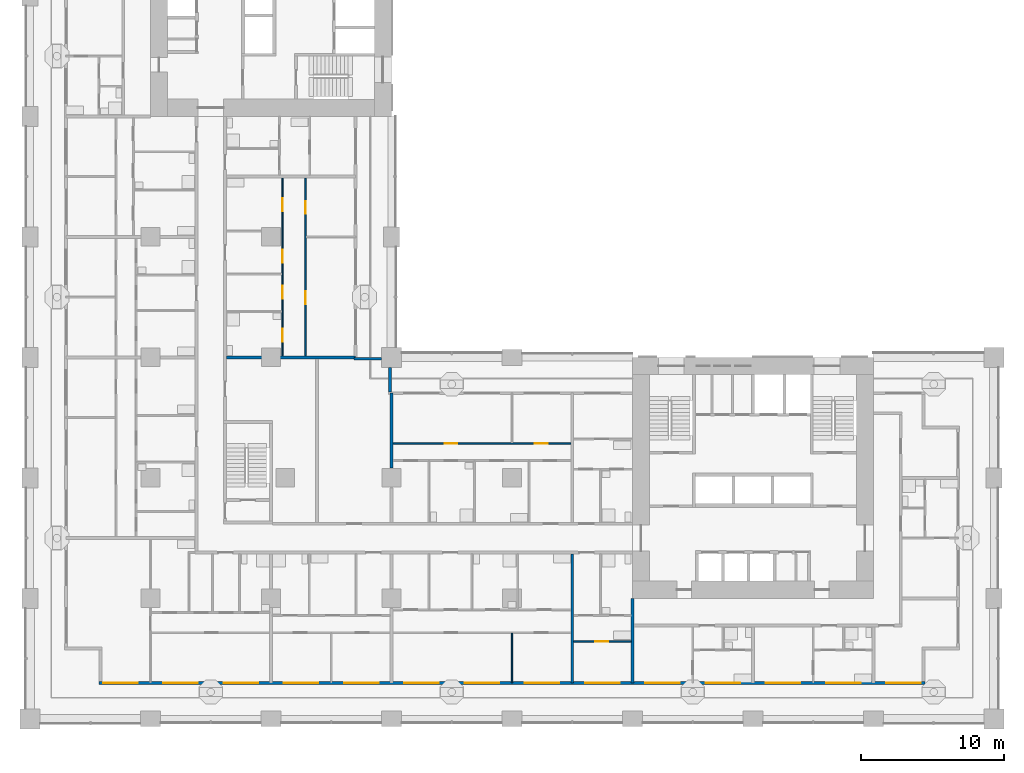
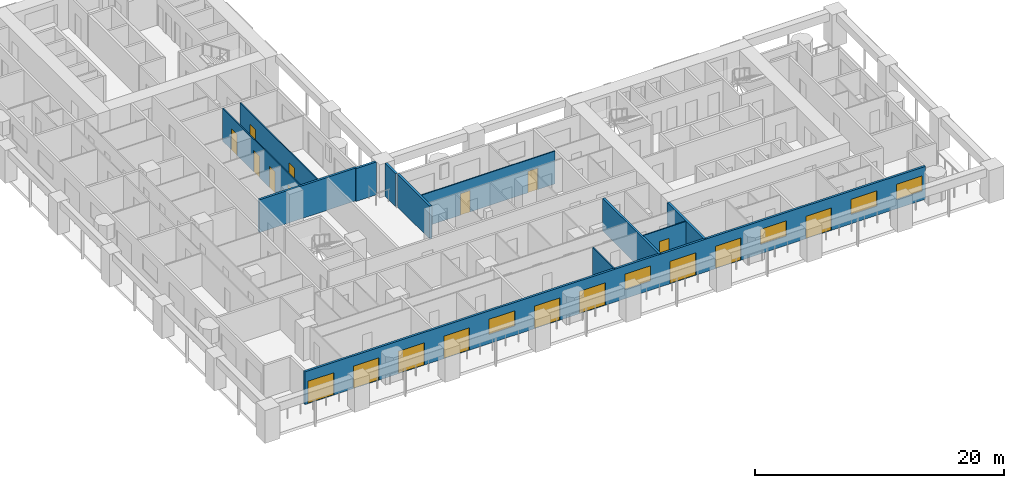
# One storey, part 5 of 22: 18 doors, 12 walls, 5 windows, 23 openings.
"""IFC4 building model written with IfcOpenShell, lengths in metres."""

from ifc_helpers import new_model, si_unit, direction, frame, frame_2d, origin, place, context, subcontext, project, spatial, rectangle, extrude, material, layer, layer_set, type_object, element, fill, save


model = new_model("IFC4")

# Units and contexts
model_context = context("Model", 3, precision=1e-05, world=origin(), true_north=direction((0.0, 1.0)))
body_context = subcontext(model_context, "Body", "Model", "MODEL_VIEW")
ifc_project = project(units=[si_unit("LENGTHUNIT", "METRE"), si_unit("AREAUNIT", "SQUARE_METRE"), si_unit("VOLUMEUNIT", "CUBIC_METRE"), si_unit("PLANEANGLEUNIT", "RADIAN"), si_unit("MASSUNIT", "GRAM", prefix="KILO")], contexts=[model_context])

# Site, building, storey
site_placement = place(None, origin())
site = spatial("IfcSite", under=ifc_project, at=site_placement, CompositionType="ELEMENT")
building_placement = place(site_placement, origin())
building = spatial("IfcBuilding", under=site, at=building_placement, Name="Vermilion Gate Residences", CompositionType="ELEMENT")
storey_placement = place(building_placement, frame((0.0, 0.0, 60.199951171875)))
storey = spatial("IfcBuildingStorey", under=building, at=storey_placement, Name="L14", CompositionType="ELEMENT", Elevation=60.199951171875)

# Wall, openings, doors, windows
ifc_material_1 = material(Name="Insulated steel stud wall with terracotta rainscreen", Category="masonry")
ifc_layer_1 = layer(ifc_material_1, 0.199951171875)
ifc_layer_set_1 = layer_set([ifc_layer_1], Name="EXTERNAL WALL 200 TERRACOTTA RAINSCREEN")
wall_type_1 = type_object("IfcWallType", Name="EXTERNAL WALL 200 TERRACOTTA RAINSCREEN", PredefinedType="SOLIDWALL", material=ifc_layer_set_1)
wall_1_placement = place(storey_placement, frame((4.800048828125, 2.5, 0.0), z_axis=(0.0, 0.0, 1.0), x_axis=(1.0, 0.0, 0.0)))
wall_1 = element("IfcWall", 1, at=wall_1_placement, inside=storey, type_object=wall_type_1, Name="External wall", PredefinedType="SOLIDWALL", context=body_context, shape_type="SweptSolid", body=[
    extrude(rectangle(XDim=57.599853515625, YDim=0.199951171875, at=frame_2d((28.7998046875, 0.0))), origin(), (0.0, 0.0, 1.0), 3.219970703125),
])
opening_1_placement = place(wall_1_placement, frame((0.300048828125, 0.0, 0.0)))
opening_1 = element("IfcOpeningElement", 2, at=opening_1_placement, cuts=wall_1, Name="Opening DE14014", PredefinedType="OPENING", context=body_context, shape_type="SweptSolid", body=[
    extrude(rectangle(XDim=2.39990234375, YDim=2.199951171875, at=frame_2d((1.199951171875, 1.10009765625))), frame((0.0, 0.10986328125, 0.0), z_axis=(0.0, -1.0, 0.0), x_axis=(1.0, 0.0, 0.0)), (0.0, 0.0, 1.0), 0.219970703125),
])
opening_2_placement = place(wall_1_placement, frame((4.5, 0.0, 0.0)))
opening_2 = element("IfcOpeningElement", 3, at=opening_2_placement, cuts=wall_1, Name="Opening DE14015", PredefinedType="OPENING", context=body_context, shape_type="SweptSolid", body=[
    extrude(rectangle(XDim=2.39990234375, YDim=2.199951171875, at=frame_2d((1.199951171875, 1.10009765625))), frame((0.0, 0.10986328125, 0.0), z_axis=(0.0, -1.0, 0.0), x_axis=(1.0, 0.0, 0.0)), (0.0, 0.0, 1.0), 0.219970703125),
])
opening_3_placement = place(wall_1_placement, frame((8.699951171875, 0.0, 0.0)))
opening_3 = element("IfcOpeningElement", 4, at=opening_3_placement, cuts=wall_1, Name="Opening DE14016", PredefinedType="OPENING", context=body_context, shape_type="SweptSolid", body=[
    extrude(rectangle(XDim=2.39990234375, YDim=2.199951171875, at=frame_2d((1.199951171875, 1.10009765625))), frame((0.0, 0.10986328125, 0.0), z_axis=(0.0, -1.0, 0.0), x_axis=(1.0, 0.0, 0.0)), (0.0, 0.0, 1.0), 0.219970703125),
])
opening_4_placement = place(wall_1_placement, frame((12.89990234375, 0.0, 0.0)))
opening_4 = element("IfcOpeningElement", 5, at=opening_4_placement, cuts=wall_1, Name="Opening DE14017", PredefinedType="OPENING", context=body_context, shape_type="SweptSolid", body=[
    extrude(rectangle(XDim=2.39990234375, YDim=2.199951171875, at=frame_2d((1.199951171875, 1.10009765625))), frame((0.0, 0.10986328125, 0.0), z_axis=(0.0, -1.0, 0.0), x_axis=(1.0, 0.0, 0.0)), (0.0, 0.0, 1.0), 0.219970703125),
])
opening_5_placement = place(wall_1_placement, frame((17.10009765625, 0.0, 0.89990234375)))
opening_5 = element("IfcOpeningElement", 6, at=opening_5_placement, cuts=wall_1, Name="Opening WE14018", PredefinedType="OPENING", context=body_context, shape_type="SweptSolid", body=[
    extrude(rectangle(XDim=2.39990234375, YDim=1.5, at=frame_2d((1.199951171875, 0.75))), frame((0.0, 0.10986328125, 0.0), z_axis=(0.0, -1.0, 0.0), x_axis=(1.0, 0.0, 0.0)), (0.0, 0.0, 1.0), 0.219970703125),
])
opening_6_placement = place(wall_1_placement, frame((21.300048828125, 0.0, 0.0)))
opening_6 = element("IfcOpeningElement", 7, at=opening_6_placement, cuts=wall_1, Name="Opening DE14019", PredefinedType="OPENING", context=body_context, shape_type="SweptSolid", body=[
    extrude(rectangle(XDim=2.39990234375, YDim=2.199951171875, at=frame_2d((1.199951171875, 1.10009765625))), frame((0.0, 0.10986328125, 0.0), z_axis=(0.0, -1.0, 0.0), x_axis=(1.0, 0.0, 0.0)), (0.0, 0.0, 1.0), 0.219970703125),
])
opening_7_placement = place(wall_1_placement, frame((25.5, 0.0, 0.0)))
opening_7 = element("IfcOpeningElement", 8, at=opening_7_placement, cuts=wall_1, Name="Opening DE14020", PredefinedType="OPENING", context=body_context, shape_type="SweptSolid", body=[
    extrude(rectangle(XDim=2.39990234375, YDim=2.199951171875, at=frame_2d((1.199951171875, 1.10009765625))), frame((0.0, 0.10986328125, 0.0), z_axis=(0.0, -1.0, 0.0), x_axis=(1.0, 0.0, 0.0)), (0.0, 0.0, 1.0), 0.219970703125),
])
opening_8_placement = place(wall_1_placement, frame((29.699951171875, 0.0, 0.89990234375)))
opening_8 = element("IfcOpeningElement", 9, at=opening_8_placement, cuts=wall_1, Name="Opening WE14021", PredefinedType="OPENING", context=body_context, shape_type="SweptSolid", body=[
    extrude(rectangle(XDim=2.39990234375, YDim=1.5, at=frame_2d((1.199951171875, 0.75))), frame((0.0, 0.10986328125, 0.0), z_axis=(0.0, -1.0, 0.0), x_axis=(1.0, 0.0, 0.0)), (0.0, 0.0, 1.0), 0.219970703125),
])
opening_9_placement = place(wall_1_placement, frame((33.89990234375, 0.0, 0.0)))
opening_9 = element("IfcOpeningElement", 10, at=opening_9_placement, cuts=wall_1, Name="Opening DE14022", PredefinedType="OPENING", context=body_context, shape_type="SweptSolid", body=[
    extrude(rectangle(XDim=2.39990234375, YDim=2.199951171875, at=frame_2d((1.199951171875, 1.10009765625))), frame((0.0, 0.10986328125, 0.0), z_axis=(0.0, -1.0, 0.0), x_axis=(1.0, 0.0, 0.0)), (0.0, 0.0, 1.0), 0.219970703125),
])
opening_10_placement = place(wall_1_placement, frame((38.10009765625, 0.0, 0.0)))
opening_10 = element("IfcOpeningElement", 11, at=opening_10_placement, cuts=wall_1, Name="Opening DE14023", PredefinedType="OPENING", context=body_context, shape_type="SweptSolid", body=[
    extrude(rectangle(XDim=2.39990234375, YDim=2.199951171875, at=frame_2d((1.199951171875, 1.10009765625))), frame((0.0, 0.10986328125, 0.0), z_axis=(0.0, -1.0, 0.0), x_axis=(1.0, 0.0, 0.0)), (0.0, 0.0, 1.0), 0.219970703125),
])
opening_11_placement = place(wall_1_placement, frame((42.300048828125, 0.0, 0.89990234375)))
opening_11 = element("IfcOpeningElement", 12, at=opening_11_placement, cuts=wall_1, Name="Opening WE14024", PredefinedType="OPENING", context=body_context, shape_type="SweptSolid", body=[
    extrude(rectangle(XDim=2.39990234375, YDim=1.5, at=frame_2d((1.199951171875, 0.75))), frame((0.0, 0.10986328125, 0.0), z_axis=(0.0, -1.0, 0.0), x_axis=(1.0, 0.0, 0.0)), (0.0, 0.0, 1.0), 0.219970703125),
])
opening_12_placement = place(wall_1_placement, frame((46.5, 0.0, 0.0)))
opening_12 = element("IfcOpeningElement", 13, at=opening_12_placement, cuts=wall_1, Name="Opening DE14025", PredefinedType="OPENING", context=body_context, shape_type="SweptSolid", body=[
    extrude(rectangle(XDim=2.39990234375, YDim=2.199951171875, at=frame_2d((1.199951171875, 1.10009765625))), frame((0.0, 0.10986328125, 0.0), z_axis=(0.0, -1.0, 0.0), x_axis=(1.0, 0.0, 0.0)), (0.0, 0.0, 1.0), 0.219970703125),
])
opening_13_placement = place(wall_1_placement, frame((50.699951171875, 0.0, 0.89990234375)))
opening_13 = element("IfcOpeningElement", 14, at=opening_13_placement, cuts=wall_1, Name="Opening WE14026", PredefinedType="OPENING", context=body_context, shape_type="SweptSolid", body=[
    extrude(rectangle(XDim=2.39990234375, YDim=1.5, at=frame_2d((1.199951171875, 0.75))), frame((0.0, 0.10986328125, 0.0), z_axis=(0.0, -1.0, 0.0), x_axis=(1.0, 0.0, 0.0)), (0.0, 0.0, 1.0), 0.219970703125),
])
opening_14_placement = place(wall_1_placement, frame((54.89990234375, 0.0, 0.89990234375)))
opening_14 = element("IfcOpeningElement", 15, at=opening_14_placement, cuts=wall_1, Name="Opening WE14027", PredefinedType="OPENING", context=body_context, shape_type="SweptSolid", body=[
    extrude(rectangle(XDim=2.39990234375, YDim=1.5, at=frame_2d((1.199951171875, 0.75))), frame((0.0, 0.10986328125, 0.0), z_axis=(0.0, -1.0, 0.0), x_axis=(1.0, 0.0, 0.0)), (0.0, 0.0, 1.0), 0.219970703125),
])
ifc_material_2 = material(Name="Aluminium and clear glass", Category="aluminium")
door_type_1 = type_object("IfcDoorType", Name="SLIDING GLAZED DOOR 2400 X 2200", OperationType="DOUBLE_DOOR_SLIDING", PredefinedType="DOOR", material=ifc_material_2)
door_1_placement = place(opening_1_placement, origin())
door_1 = element("IfcDoor", 16, at=door_1_placement, inside=storey, type_object=door_type_1, Name="Loggia sliding door", OperationType="DOUBLE_DOOR_SLIDING", OverallHeight=2.199951171875, OverallWidth=2.39990234375, PredefinedType="DOOR", context=body_context, shape_type="SweptSolid", body=[
    extrude(rectangle(XDim=2.39990234375, YDim=2.199951171875, at=frame_2d((1.199951171875, 1.10009765625))), frame((0.0, 0.02490234375, 0.0), z_axis=(0.0, -1.0, 0.0), x_axis=(1.0, 0.0, 0.0)), (0.0, 0.0, 1.0), 0.050048828125),
])
fill(opening_1, door_1)
door_2_placement = place(opening_2_placement, origin())
door_2 = element("IfcDoor", 17, at=door_2_placement, inside=storey, type_object=door_type_1, Name="Loggia sliding door", OperationType="DOUBLE_DOOR_SLIDING", OverallHeight=2.199951171875, OverallWidth=2.39990234375, PredefinedType="DOOR", context=body_context, shape_type="SweptSolid", body=[
    extrude(rectangle(XDim=2.39990234375, YDim=2.199951171875, at=frame_2d((1.199951171875, 1.10009765625))), frame((0.0, 0.02490234375, 0.0), z_axis=(0.0, -1.0, 0.0), x_axis=(1.0, 0.0, 0.0)), (0.0, 0.0, 1.0), 0.050048828125),
])
fill(opening_2, door_2)
door_3_placement = place(opening_3_placement, origin())
door_3 = element("IfcDoor", 18, at=door_3_placement, inside=storey, type_object=door_type_1, Name="Loggia sliding door", OperationType="DOUBLE_DOOR_SLIDING", OverallHeight=2.199951171875, OverallWidth=2.39990234375, PredefinedType="DOOR", context=body_context, shape_type="SweptSolid", body=[
    extrude(rectangle(XDim=2.39990234375, YDim=2.199951171875, at=frame_2d((1.199951171875, 1.10009765625))), frame((0.0, 0.02490234375, 0.0), z_axis=(0.0, -1.0, 0.0), x_axis=(1.0, 0.0, 0.0)), (0.0, 0.0, 1.0), 0.050048828125),
])
fill(opening_3, door_3)
door_4_placement = place(opening_4_placement, origin())
door_4 = element("IfcDoor", 19, at=door_4_placement, inside=storey, type_object=door_type_1, Name="Loggia sliding door", OperationType="DOUBLE_DOOR_SLIDING", OverallHeight=2.199951171875, OverallWidth=2.39990234375, PredefinedType="DOOR", context=body_context, shape_type="SweptSolid", body=[
    extrude(rectangle(XDim=2.39990234375, YDim=2.199951171875, at=frame_2d((1.199951171875, 1.10009765625))), frame((0.0, 0.02490234375, 0.0), z_axis=(0.0, -1.0, 0.0), x_axis=(1.0, 0.0, 0.0)), (0.0, 0.0, 1.0), 0.050048828125),
])
fill(opening_4, door_4)
door_5_placement = place(opening_6_placement, origin())
door_5 = element("IfcDoor", 20, at=door_5_placement, inside=storey, type_object=door_type_1, Name="Loggia sliding door", OperationType="DOUBLE_DOOR_SLIDING", OverallHeight=2.199951171875, OverallWidth=2.39990234375, PredefinedType="DOOR", context=body_context, shape_type="SweptSolid", body=[
    extrude(rectangle(XDim=2.39990234375, YDim=2.199951171875, at=frame_2d((1.199951171875, 1.10009765625))), frame((0.0, 0.02490234375, 0.0), z_axis=(0.0, -1.0, 0.0), x_axis=(1.0, 0.0, 0.0)), (0.0, 0.0, 1.0), 0.050048828125),
])
fill(opening_6, door_5)
door_6_placement = place(opening_7_placement, origin())
door_6 = element("IfcDoor", 21, at=door_6_placement, inside=storey, type_object=door_type_1, Name="Loggia sliding door", OperationType="DOUBLE_DOOR_SLIDING", OverallHeight=2.199951171875, OverallWidth=2.39990234375, PredefinedType="DOOR", context=body_context, shape_type="SweptSolid", body=[
    extrude(rectangle(XDim=2.39990234375, YDim=2.199951171875, at=frame_2d((1.199951171875, 1.10009765625))), frame((0.0, 0.02490234375, 0.0), z_axis=(0.0, -1.0, 0.0), x_axis=(1.0, 0.0, 0.0)), (0.0, 0.0, 1.0), 0.050048828125),
])
fill(opening_7, door_6)
door_7_placement = place(opening_9_placement, origin())
door_7 = element("IfcDoor", 22, at=door_7_placement, inside=storey, type_object=door_type_1, Name="Loggia sliding door", OperationType="DOUBLE_DOOR_SLIDING", OverallHeight=2.199951171875, OverallWidth=2.39990234375, PredefinedType="DOOR", context=body_context, shape_type="SweptSolid", body=[
    extrude(rectangle(XDim=2.39990234375, YDim=2.199951171875, at=frame_2d((1.199951171875, 1.10009765625))), frame((0.0, 0.02490234375, 0.0), z_axis=(0.0, -1.0, 0.0), x_axis=(1.0, 0.0, 0.0)), (0.0, 0.0, 1.0), 0.050048828125),
])
fill(opening_9, door_7)
door_8_placement = place(opening_10_placement, origin())
door_8 = element("IfcDoor", 23, at=door_8_placement, inside=storey, type_object=door_type_1, Name="Loggia sliding door", OperationType="DOUBLE_DOOR_SLIDING", OverallHeight=2.199951171875, OverallWidth=2.39990234375, PredefinedType="DOOR", context=body_context, shape_type="SweptSolid", body=[
    extrude(rectangle(XDim=2.39990234375, YDim=2.199951171875, at=frame_2d((1.199951171875, 1.10009765625))), frame((0.0, 0.02490234375, 0.0), z_axis=(0.0, -1.0, 0.0), x_axis=(1.0, 0.0, 0.0)), (0.0, 0.0, 1.0), 0.050048828125),
])
fill(opening_10, door_8)
door_9_placement = place(opening_12_placement, origin())
door_9 = element("IfcDoor", 24, at=door_9_placement, inside=storey, type_object=door_type_1, Name="Loggia sliding door", OperationType="DOUBLE_DOOR_SLIDING", OverallHeight=2.199951171875, OverallWidth=2.39990234375, PredefinedType="DOOR", context=body_context, shape_type="SweptSolid", body=[
    extrude(rectangle(XDim=2.39990234375, YDim=2.199951171875, at=frame_2d((1.199951171875, 1.10009765625))), frame((0.0, 0.02490234375, 0.0), z_axis=(0.0, -1.0, 0.0), x_axis=(1.0, 0.0, 0.0)), (0.0, 0.0, 1.0), 0.050048828125),
])
fill(opening_12, door_9)
ifc_material_3 = material(Name="Aluminium and clear glass", Category="aluminium")
window_type = type_object("IfcWindowType", Name="WINDOW 2400 X 1500", PartitioningType="SINGLE_PANEL", PredefinedType="WINDOW", material=ifc_material_3)
window_1_placement = place(opening_5_placement, origin())
window_1 = element("IfcWindow", 25, at=window_1_placement, inside=storey, type_object=window_type, Name="Window", OverallHeight=1.5, OverallWidth=2.39990234375, PartitioningType="SINGLE_PANEL", PredefinedType="WINDOW", context=body_context, shape_type="SweptSolid", body=[
    extrude(rectangle(XDim=2.39990234375, YDim=1.5, at=frame_2d((1.199951171875, 0.75))), frame((0.0, 0.030029296875, 0.0), z_axis=(0.0, -1.0, 0.0), x_axis=(1.0, 0.0, 0.0)), (0.0, 0.0, 1.0), 0.06005859375),
])
fill(opening_5, window_1)
window_2_placement = place(opening_8_placement, origin())
window_2 = element("IfcWindow", 26, at=window_2_placement, inside=storey, type_object=window_type, Name="Window", OverallHeight=1.5, OverallWidth=2.39990234375, PartitioningType="SINGLE_PANEL", PredefinedType="WINDOW", context=body_context, shape_type="SweptSolid", body=[
    extrude(rectangle(XDim=2.39990234375, YDim=1.5, at=frame_2d((1.199951171875, 0.75))), frame((0.0, 0.030029296875, 0.0), z_axis=(0.0, -1.0, 0.0), x_axis=(1.0, 0.0, 0.0)), (0.0, 0.0, 1.0), 0.06005859375),
])
fill(opening_8, window_2)
window_3_placement = place(opening_11_placement, origin())
window_3 = element("IfcWindow", 27, at=window_3_placement, inside=storey, type_object=window_type, Name="Window", OverallHeight=1.5, OverallWidth=2.39990234375, PartitioningType="SINGLE_PANEL", PredefinedType="WINDOW", context=body_context, shape_type="SweptSolid", body=[
    extrude(rectangle(XDim=2.39990234375, YDim=1.5, at=frame_2d((1.199951171875, 0.75))), frame((0.0, 0.030029296875, 0.0), z_axis=(0.0, -1.0, 0.0), x_axis=(1.0, 0.0, 0.0)), (0.0, 0.0, 1.0), 0.06005859375),
])
fill(opening_11, window_3)
window_4_placement = place(opening_13_placement, origin())
window_4 = element("IfcWindow", 28, at=window_4_placement, inside=storey, type_object=window_type, Name="Window", OverallHeight=1.5, OverallWidth=2.39990234375, PartitioningType="SINGLE_PANEL", PredefinedType="WINDOW", context=body_context, shape_type="SweptSolid", body=[
    extrude(rectangle(XDim=2.39990234375, YDim=1.5, at=frame_2d((1.199951171875, 0.75))), frame((0.0, 0.030029296875, 0.0), z_axis=(0.0, -1.0, 0.0), x_axis=(1.0, 0.0, 0.0)), (0.0, 0.0, 1.0), 0.06005859375),
])
fill(opening_13, window_4)
window_5_placement = place(opening_14_placement, origin())
window_5 = element("IfcWindow", 29, at=window_5_placement, inside=storey, type_object=window_type, Name="Window", OverallHeight=1.5, OverallWidth=2.39990234375, PartitioningType="SINGLE_PANEL", PredefinedType="WINDOW", context=body_context, shape_type="SweptSolid", body=[
    extrude(rectangle(XDim=2.39990234375, YDim=1.5, at=frame_2d((1.199951171875, 0.75))), frame((0.0, 0.030029296875, 0.0), z_axis=(0.0, -1.0, 0.0), x_axis=(1.0, 0.0, 0.0)), (0.0, 0.0, 1.0), 0.06005859375),
])
fill(opening_14, window_5)

# Walls
wall_2_placement = place(storey_placement, frame((25.10009765625, 22.800048828125, 0.0), z_axis=(0.0, 0.0, 1.0), x_axis=(0.0, 1.0, 0.0)))
element("IfcWall", 30, at=wall_2_placement, inside=storey, type_object=wall_type_1, Name="External wall", PredefinedType="SOLIDWALL", context=body_context, shape_type="SweptSolid", body=[
    extrude(rectangle(XDim=1.699951171875, YDim=0.199951171875, at=frame_2d((0.85009765625, 0.0))), origin(), (0.0, 0.0, 1.0), 3.219970703125),
])
wall_3_placement = place(storey_placement, frame((24.5, 25.10009765625, 0.0), z_axis=(0.0, 0.0, 1.0), x_axis=(-1.0, 0.0, 0.0)))
element("IfcWall", 31, at=wall_3_placement, inside=storey, type_object=wall_type_1, Name="External wall", PredefinedType="SOLIDWALL", context=body_context, shape_type="SweptSolid", body=[
    extrude(rectangle(XDim=1.89990234375, YDim=0.199951171875, at=frame_2d((0.949951171875, 0.0))), origin(), (0.0, 0.0, 1.0), 3.219970703125),
])

# Wall, opening, door
ifc_material_4 = material(Name="Plasterboard on steel studs", Category="steel")
ifc_layer_2 = layer(ifc_material_4, 0.10009765625)
ifc_layer_set_2 = layer_set([ifc_layer_2], Name="PARTITION 100")
wall_type_2 = type_object("IfcWallType", Name="PARTITION 100", PredefinedType="PARTITIONING", material=ifc_layer_set_2)
wall_4_placement = place(storey_placement, frame((37.89990234375, 5.39990234375, 0.0), z_axis=(0.0, 0.0, 1.0), x_axis=(1.0, 0.0, 0.0)))
wall_4 = element("IfcWall", 32, at=wall_4_placement, inside=storey, type_object=wall_type_2, Name="Partition", PredefinedType="PARTITIONING", context=body_context, shape_type="SweptSolid", body=[
    extrude(rectangle(XDim=4.0, YDim=0.10009765625, at=frame_2d((2.0, 0.0))), origin(), (0.0, 0.0, 1.0), 3.219970703125),
])
opening_15_placement = place(wall_4_placement, frame((1.5, 0.0, 0.0)))
opening_15 = element("IfcOpeningElement", 33, at=opening_15_placement, cuts=wall_4, Name="Opening DA13005", PredefinedType="OPENING", context=body_context, shape_type="SweptSolid", body=[
    extrude(rectangle(XDim=0.89990234375, YDim=2.10009765625, at=frame_2d((0.449951171875, 1.050048828125))), frame((0.0, 0.06005859375, 0.0), z_axis=(0.0, -1.0, 0.0), x_axis=(1.0, 0.0, 0.0)), (0.0, 0.0, 1.0), 0.1201171875),
])
ifc_material_5 = material(Name="Timber", Category="wood")
door_type_2 = type_object("IfcDoorType", Name="INTERIOR DOOR 900 X 2100", OperationType="SINGLE_SWING_LEFT", PredefinedType="DOOR", material=ifc_material_5)
door_10_placement = place(opening_15_placement, origin())
door_10 = element("IfcDoor", 34, at=door_10_placement, inside=storey, type_object=door_type_2, Name="Interior door", OperationType="SINGLE_SWING_RIGHT", OverallHeight=2.10009765625, OverallWidth=0.89990234375, PredefinedType="DOOR", context=body_context, shape_type="SweptSolid", body=[
    extrude(rectangle(XDim=0.89990234375, YDim=2.10009765625, at=frame_2d((0.449951171875, 1.050048828125))), frame((0.0, 0.02490234375, 0.0), z_axis=(0.0, -1.0, 0.0), x_axis=(1.0, 0.0, 0.0)), (0.0, 0.0, 1.0), 0.050048828125),
])
fill(opening_15, door_10)

# Wall, openings, doors
wall_5_placement = place(storey_placement, frame((25.300048828125, 19.199951171875, 0.0), z_axis=(0.0, 0.0, 1.0), x_axis=(1.0, 0.0, 0.0)))
wall_5 = element("IfcWall", 35, at=wall_5_placement, inside=storey, type_object=wall_type_2, Name="Partition", PredefinedType="PARTITIONING", context=body_context, shape_type="SweptSolid", body=[
    extrude(rectangle(XDim=12.39990234375, YDim=0.10009765625, at=frame_2d((6.199951171875, 0.0))), origin(), (0.0, 0.0, 1.0), 3.219970703125),
])
opening_16_placement = place(wall_5_placement, frame((3.60009765625, 0.0, 0.0)))
opening_16 = element("IfcOpeningElement", 36, at=opening_16_placement, cuts=wall_5, Name="Opening DA13041", PredefinedType="OPENING", context=body_context, shape_type="SweptSolid", body=[
    extrude(rectangle(XDim=0.89990234375, YDim=2.10009765625, at=frame_2d((0.449951171875, 1.050048828125))), frame((0.0, 0.06005859375, 0.0), z_axis=(0.0, -1.0, 0.0), x_axis=(1.0, 0.0, 0.0)), (0.0, 0.0, 1.0), 0.1201171875),
])
opening_17_placement = place(wall_5_placement, frame((9.89990234375, 0.0, 0.0)))
opening_17 = element("IfcOpeningElement", 37, at=opening_17_placement, cuts=wall_5, Name="Opening DA13042", PredefinedType="OPENING", context=body_context, shape_type="SweptSolid", body=[
    extrude(rectangle(XDim=0.89990234375, YDim=2.10009765625, at=frame_2d((0.449951171875, 1.050048828125))), frame((0.0, 0.06005859375, 0.0), z_axis=(0.0, -1.0, 0.0), x_axis=(1.0, 0.0, 0.0)), (0.0, 0.0, 1.0), 0.1201171875),
])
door_11_placement = place(opening_16_placement, origin())
door_11 = element("IfcDoor", 38, at=door_11_placement, inside=storey, type_object=door_type_2, Name="Interior door", OperationType="SINGLE_SWING_LEFT", OverallHeight=2.10009765625, OverallWidth=0.89990234375, PredefinedType="DOOR", context=body_context, shape_type="SweptSolid", body=[
    extrude(rectangle(XDim=0.89990234375, YDim=2.10009765625, at=frame_2d((0.449951171875, 1.050048828125))), frame((0.0, 0.02490234375, 0.0), z_axis=(0.0, -1.0, 0.0), x_axis=(1.0, 0.0, 0.0)), (0.0, 0.0, 1.0), 0.050048828125),
])
fill(opening_16, door_11)
door_12_placement = place(opening_17_placement, origin())
door_12 = element("IfcDoor", 39, at=door_12_placement, inside=storey, type_object=door_type_2, Name="Interior door", OperationType="SINGLE_SWING_LEFT", OverallHeight=2.10009765625, OverallWidth=0.89990234375, PredefinedType="DOOR", context=body_context, shape_type="SweptSolid", body=[
    extrude(rectangle(XDim=0.89990234375, YDim=2.10009765625, at=frame_2d((0.449951171875, 1.050048828125))), frame((0.0, 0.02490234375, 0.0), z_axis=(0.0, -1.0, 0.0), x_axis=(1.0, 0.0, 0.0)), (0.0, 0.0, 1.0), 0.050048828125),
])
fill(opening_17, door_12)

wall_6_placement = place(storey_placement, frame((17.60009765625, 25.300048828125, 0.0), z_axis=(0.0, 0.0, 1.0), x_axis=(0.0, 1.0, 0.0)))
wall_6 = element("IfcWall", 40, at=wall_6_placement, inside=storey, type_object=wall_type_2, Name="Partition", PredefinedType="PARTITIONING", context=body_context, shape_type="SweptSolid", body=[
    extrude(rectangle(XDim=12.39990234375, YDim=0.10009765625, at=frame_2d((6.199951171875, 0.0))), origin(), (0.0, 0.0, 1.0), 3.219970703125),
])
opening_18_placement = place(wall_6_placement, frame((6.5, 0.0, 0.0)))
opening_18 = element("IfcOpeningElement", 41, at=opening_18_placement, cuts=wall_6, Name="Opening DA13074", PredefinedType="OPENING", context=body_context, shape_type="SweptSolid", body=[
    extrude(rectangle(XDim=0.89990234375, YDim=2.10009765625, at=frame_2d((0.449951171875, 1.050048828125))), frame((0.0, 0.06005859375, 0.0), z_axis=(0.0, -1.0, 0.0), x_axis=(1.0, 0.0, 0.0)), (0.0, 0.0, 1.0), 0.1201171875),
])
opening_19_placement = place(wall_6_placement, frame((1.0, 0.0, 0.0)))
opening_19 = element("IfcOpeningElement", 42, at=opening_19_placement, cuts=wall_6, Name="Opening DA13075", PredefinedType="OPENING", context=body_context, shape_type="SweptSolid", body=[
    extrude(rectangle(XDim=0.89990234375, YDim=2.10009765625, at=frame_2d((0.449951171875, 1.050048828125))), frame((0.0, 0.06005859375, 0.0), z_axis=(0.0, -1.0, 0.0), x_axis=(1.0, 0.0, 0.0)), (0.0, 0.0, 1.0), 0.1201171875),
])
opening_20_placement = place(wall_6_placement, frame((4.0, 0.0, 0.0)))
opening_20 = element("IfcOpeningElement", 43, at=opening_20_placement, cuts=wall_6, Name="Opening DA13076", PredefinedType="OPENING", context=body_context, shape_type="SweptSolid", body=[
    extrude(rectangle(XDim=0.89990234375, YDim=2.10009765625, at=frame_2d((0.449951171875, 1.050048828125))), frame((0.0, 0.06005859375, 0.0), z_axis=(0.0, -1.0, 0.0), x_axis=(1.0, 0.0, 0.0)), (0.0, 0.0, 1.0), 0.1201171875),
])
opening_21_placement = place(wall_6_placement, frame((10.10009765625, 0.0, 0.0)))
opening_21 = element("IfcOpeningElement", 44, at=opening_21_placement, cuts=wall_6, Name="Opening DA13077", PredefinedType="OPENING", context=body_context, shape_type="SweptSolid", body=[
    extrude(rectangle(XDim=0.89990234375, YDim=2.10009765625, at=frame_2d((0.449951171875, 1.050048828125))), frame((0.0, 0.06005859375, 0.0), z_axis=(0.0, -1.0, 0.0), x_axis=(1.0, 0.0, 0.0)), (0.0, 0.0, 1.0), 0.1201171875),
])
door_13_placement = place(opening_18_placement, origin())
door_13 = element("IfcDoor", 45, at=door_13_placement, inside=storey, type_object=door_type_2, Name="Interior door", OperationType="SINGLE_SWING_RIGHT", OverallHeight=2.10009765625, OverallWidth=0.89990234375, PredefinedType="DOOR", context=body_context, shape_type="SweptSolid", body=[
    extrude(rectangle(XDim=0.89990234375, YDim=2.10009765625, at=frame_2d((0.449951171875, 1.050048828125))), frame((0.0, 0.02490234375, 0.0), z_axis=(0.0, -1.0, 0.0), x_axis=(1.0, 0.0, 0.0)), (0.0, 0.0, 1.0), 0.050048828125),
])
fill(opening_18, door_13)
door_14_placement = place(opening_19_placement, origin())
door_14 = element("IfcDoor", 46, at=door_14_placement, inside=storey, type_object=door_type_2, Name="Interior door", OperationType="SINGLE_SWING_LEFT", OverallHeight=2.10009765625, OverallWidth=0.89990234375, PredefinedType="DOOR", context=body_context, shape_type="SweptSolid", body=[
    extrude(rectangle(XDim=0.89990234375, YDim=2.10009765625, at=frame_2d((0.449951171875, 1.050048828125))), frame((0.0, 0.02490234375, 0.0), z_axis=(0.0, -1.0, 0.0), x_axis=(1.0, 0.0, 0.0)), (0.0, 0.0, 1.0), 0.050048828125),
])
fill(opening_19, door_14)
door_15_placement = place(opening_20_placement, origin())
door_15 = element("IfcDoor", 47, at=door_15_placement, inside=storey, type_object=door_type_2, Name="Interior door", OperationType="SINGLE_SWING_RIGHT", OverallHeight=2.10009765625, OverallWidth=0.89990234375, PredefinedType="DOOR", context=body_context, shape_type="SweptSolid", body=[
    extrude(rectangle(XDim=0.89990234375, YDim=2.10009765625, at=frame_2d((0.449951171875, 1.050048828125))), frame((0.0, 0.02490234375, 0.0), z_axis=(0.0, -1.0, 0.0), x_axis=(1.0, 0.0, 0.0)), (0.0, 0.0, 1.0), 0.050048828125),
])
fill(opening_20, door_15)
door_16_placement = place(opening_21_placement, origin())
door_16 = element("IfcDoor", 48, at=door_16_placement, inside=storey, type_object=door_type_2, Name="Interior door", OperationType="SINGLE_SWING_LEFT", OverallHeight=2.10009765625, OverallWidth=0.89990234375, PredefinedType="DOOR", context=body_context, shape_type="SweptSolid", body=[
    extrude(rectangle(XDim=0.89990234375, YDim=2.10009765625, at=frame_2d((0.449951171875, 1.050048828125))), frame((0.0, 0.02490234375, 0.0), z_axis=(0.0, -1.0, 0.0), x_axis=(1.0, 0.0, 0.0)), (0.0, 0.0, 1.0), 0.050048828125),
])
fill(opening_21, door_16)

wall_7_placement = place(storey_placement, frame((19.199951171875, 25.300048828125, 0.0), z_axis=(0.0, 0.0, 1.0), x_axis=(0.0, 1.0, 0.0)))
wall_7 = element("IfcWall", 49, at=wall_7_placement, inside=storey, type_object=wall_type_2, Name="Partition", PredefinedType="PARTITIONING", context=body_context, shape_type="SweptSolid", body=[
    extrude(rectangle(XDim=12.39990234375, YDim=0.10009765625, at=frame_2d((6.199951171875, 0.0))), origin(), (0.0, 0.0, 1.0), 3.219970703125),
])
opening_22_placement = place(wall_7_placement, frame((3.60009765625, 0.0, 0.0)))
opening_22 = element("IfcOpeningElement", 50, at=opening_22_placement, cuts=wall_7, Name="Opening DA13078", PredefinedType="OPENING", context=body_context, shape_type="SweptSolid", body=[
    extrude(rectangle(XDim=0.89990234375, YDim=2.10009765625, at=frame_2d((0.449951171875, 1.050048828125))), frame((0.0, 0.06005859375, 0.0), z_axis=(0.0, -1.0, 0.0), x_axis=(1.0, 0.0, 0.0)), (0.0, 0.0, 1.0), 0.1201171875),
])
opening_23_placement = place(wall_7_placement, frame((9.89990234375, 0.0, 0.0)))
opening_23 = element("IfcOpeningElement", 51, at=opening_23_placement, cuts=wall_7, Name="Opening DA13079", PredefinedType="OPENING", context=body_context, shape_type="SweptSolid", body=[
    extrude(rectangle(XDim=0.89990234375, YDim=2.10009765625, at=frame_2d((0.449951171875, 1.050048828125))), frame((0.0, 0.06005859375, 0.0), z_axis=(0.0, -1.0, 0.0), x_axis=(1.0, 0.0, 0.0)), (0.0, 0.0, 1.0), 0.1201171875),
])
door_17_placement = place(opening_22_placement, frame((0.89990234375, 0.0, 0.0), z_axis=(0.0, 0.0, 1.0), x_axis=(-1.0, 0.0, 0.0)))
door_17 = element("IfcDoor", 52, at=door_17_placement, inside=storey, type_object=door_type_2, Name="Interior door", OperationType="SINGLE_SWING_RIGHT", OverallHeight=2.10009765625, OverallWidth=0.89990234375, PredefinedType="DOOR", context=body_context, shape_type="SweptSolid", body=[
    extrude(rectangle(XDim=0.89990234375, YDim=2.10009765625, at=frame_2d((0.449951171875, 1.050048828125))), frame((0.0, 0.02490234375, 0.0), z_axis=(0.0, -1.0, 0.0), x_axis=(1.0, 0.0, 0.0)), (0.0, 0.0, 1.0), 0.050048828125),
])
fill(opening_22, door_17)
door_18_placement = place(opening_23_placement, frame((0.89990234375, 0.0, 0.0), z_axis=(0.0, 0.0, 1.0), x_axis=(-1.0, 0.0, 0.0)))
door_18 = element("IfcDoor", 53, at=door_18_placement, inside=storey, type_object=door_type_2, Name="Interior door", OperationType="SINGLE_SWING_RIGHT", OverallHeight=2.10009765625, OverallWidth=0.89990234375, PredefinedType="DOOR", context=body_context, shape_type="SweptSolid", body=[
    extrude(rectangle(XDim=0.89990234375, YDim=2.10009765625, at=frame_2d((0.449951171875, 1.050048828125))), frame((0.0, 0.02490234375, 0.0), z_axis=(0.0, -1.0, 0.0), x_axis=(1.0, 0.0, 0.0)), (0.0, 0.0, 1.0), 0.050048828125),
])
fill(opening_23, door_18)

# Walls
wall_8_placement = place(storey_placement, frame((33.60009765625, 2.5, 0.0), z_axis=(0.0, 0.0, 1.0), x_axis=(0.0, 1.0, 0.0)))
element("IfcWall", 54, at=wall_8_placement, inside=storey, type_object=wall_type_2, Name="Partition", PredefinedType="PARTITIONING", context=body_context, shape_type="SweptSolid", body=[
    extrude(rectangle(XDim=3.449951171875, YDim=0.10009765625, at=frame_2d((1.72509765625, 0.0))), origin(), (0.0, 0.0, 1.0), 3.219970703125),
])
ifc_material_6 = material(Name="Fire-rated plasterboard on steel studs", Category="steel")
ifc_layer_3 = layer(ifc_material_6, 0.199951171875)
ifc_layer_set_3 = layer_set([ifc_layer_3], Name="PARTY WALL 200 EI 120")
wall_type_3 = type_object("IfcWallType", Name="PARTY WALL 200 EI 120", PredefinedType="PARTITIONING", material=ifc_layer_set_3)
wall_9_placement = place(storey_placement, frame((13.699951171875, 25.199951171875, 0.0), z_axis=(0.0, 0.0, 1.0), x_axis=(1.0, 0.0, 0.0)))
element("IfcWall", 55, at=wall_9_placement, inside=storey, type_object=wall_type_3, Name="Party and corridor wall", PredefinedType="PARTITIONING", context=body_context, shape_type="SweptSolid", body=[
    extrude(rectangle(XDim=9.0, YDim=0.199951171875, at=frame_2d((4.5, 0.0))), origin(), (0.0, 0.0, 1.0), 3.219970703125),
])
wall_10_placement = place(storey_placement, frame((25.199951171875, 17.5, 0.0), z_axis=(0.0, 0.0, 1.0), x_axis=(0.0, 1.0, 0.0)))
element("IfcWall", 56, at=wall_10_placement, inside=storey, type_object=wall_type_3, Name="Party and corridor wall", PredefinedType="PARTITIONING", context=body_context, shape_type="SweptSolid", body=[
    extrude(rectangle(XDim=5.199951171875, YDim=0.199951171875, at=frame_2d((2.60009765625, 0.0))), origin(), (0.0, 0.0, 1.0), 3.219970703125),
])
wall_11_placement = place(storey_placement, frame((37.800048828125, 2.5, 0.0), z_axis=(0.0, 0.0, 1.0), x_axis=(0.0, 1.0, 0.0)))
element("IfcWall", 57, at=wall_11_placement, inside=storey, type_object=wall_type_3, Name="Party and corridor wall", PredefinedType="PARTITIONING", context=body_context, shape_type="SweptSolid", body=[
    extrude(rectangle(XDim=9.0, YDim=0.199951171875, at=frame_2d((4.5, 0.0))), origin(), (0.0, 0.0, 1.0), 3.219970703125),
])
wall_12_placement = place(storey_placement, frame((42.0, 2.5, 0.0), z_axis=(0.0, 0.0, 1.0), x_axis=(0.0, 1.0, 0.0)))
element("IfcWall", 58, at=wall_12_placement, inside=storey, type_object=wall_type_3, Name="Party and corridor wall", PredefinedType="PARTITIONING", context=body_context, shape_type="SweptSolid", body=[
    extrude(rectangle(XDim=5.89990234375, YDim=0.199951171875, at=frame_2d((2.949951171875, 0.0))), origin(), (0.0, 0.0, 1.0), 3.219970703125),
])

save(model, "model.ifc")
